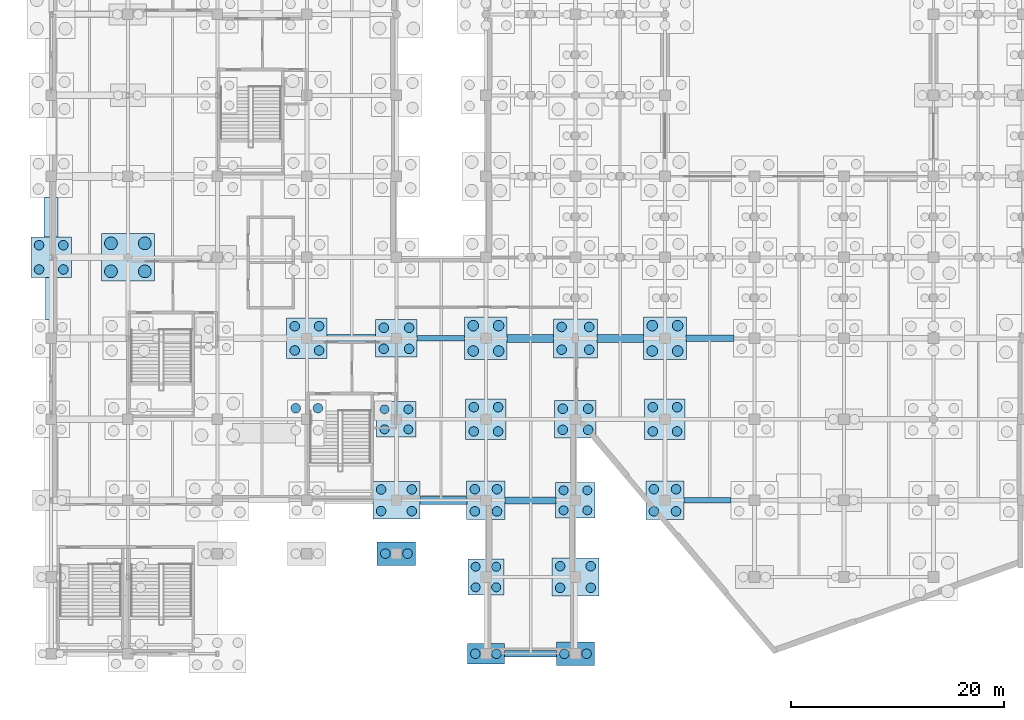
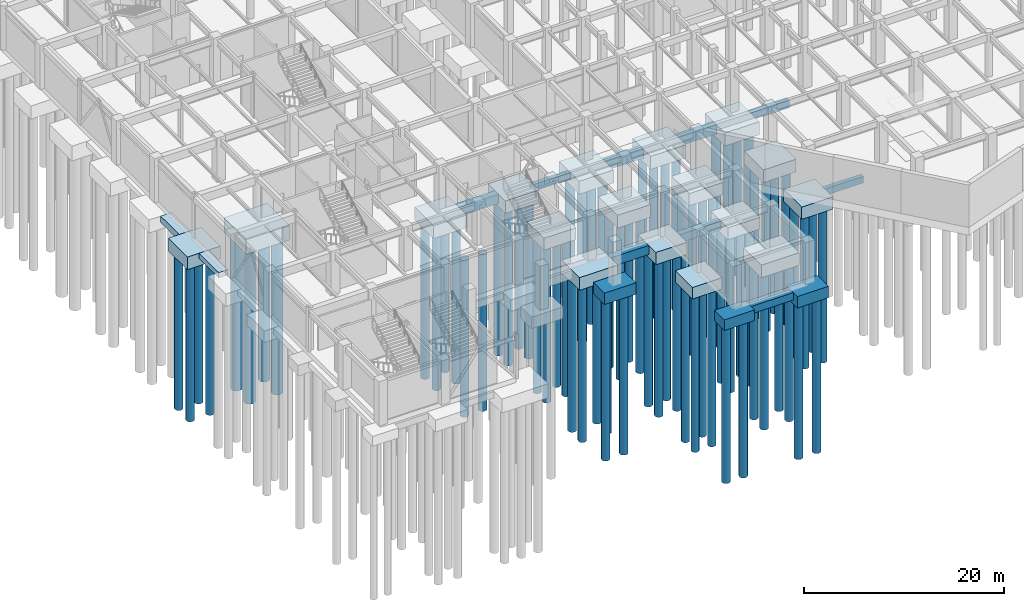
# One storey, part 2 of 52: 76 piles, 31 footings.
"""IFC4 building model written with IfcOpenShell, lengths in metres."""

from ifc_helpers import new_model, si_unit, direction, frame, origin, origin_2d, place, context, subcontext, project, spatial, rectangle, circle, extrude, material, material_profile, profile_set, type_object, element, save


model = new_model("IFC4")

# Units and contexts
model_context = context("Model", 3, precision=1e-05, world=origin(), true_north=direction((0.0, 1.0)))
body_context = subcontext(model_context, "Body", "Model", "MODEL_VIEW")
ifc_project = project(units=[si_unit("LENGTHUNIT", "METRE"), si_unit("AREAUNIT", "SQUARE_METRE"), si_unit("VOLUMEUNIT", "CUBIC_METRE"), si_unit("PLANEANGLEUNIT", "RADIAN"), si_unit("MASSUNIT", "GRAM", prefix="KILO")], contexts=[model_context])

# Site, building, storey
site_placement = place(None, origin())
site = spatial("IfcSite", under=ifc_project, at=site_placement, CompositionType="ELEMENT")
building_placement = place(site_placement, origin())
building = spatial("IfcBuilding", under=site, at=building_placement, Name="Xicomal Pleat Aquarium", CompositionType="ELEMENT")
storey_placement = place(building_placement, frame((0.0, 0.0, -5.39990234375)))
storey = spatial("IfcBuildingStorey", under=building, at=storey_placement, Name="B1", CompositionType="ELEMENT", Elevation=-5.39990234375)

# Footings
ifc_material_1 = material(Name="Concrete C40/50", Category="concrete")
ifc_material_profile_1 = material_profile(ifc_material_1, rectangle(XDim=0.5, YDim=0.800048828125, at=origin_2d()), Name="FB-01 500x800")
ifc_profile_set_1 = profile_set([ifc_material_profile_1], Name="Concrete C40/50")
footing_type_1 = type_object("IfcFootingType", Name="FTG-FB-500x800", PredefinedType="FOOTING_BEAM", material=ifc_profile_set_1)
footing_1_placement = place(storey_placement, frame((37.340087890625, 30.39990234375, -1.35009765625), z_axis=(1.0, 0.0, 0.0), x_axis=(0.0, 1.0, 0.0)))
element("IfcFooting", 1, at=footing_1_placement, inside=storey, type_object=footing_type_1, Name="Foundation tie beam 05-06/E", PredefinedType="FOOTING_BEAM", context=body_context, shape_type="SweptSolid", body=[
    extrude(rectangle(XDim=0.5, YDim=0.800048828125, at=origin_2d()), origin(), (0.0, 0.0, 1.0), 4.469970703125),
])
footing_2_placement = place(storey_placement, frame((62.389892578125, 15.199951171875, -1.35009765625), z_axis=(1.0, 0.0, 0.0), x_axis=(0.0, 1.0, 0.0)))
element("IfcFooting", 2, at=footing_2_placement, inside=storey, type_object=footing_type_1, Name="Foundation tie beam 08-09/C", PredefinedType="FOOTING_BEAM", context=body_context, shape_type="SweptSolid", body=[
    extrude(rectangle(XDim=0.5, YDim=0.800048828125, at=origin_2d()), origin(), (0.0, 0.0, 1.0), 4.420166015625),
])
ifc_material_2 = material(Name="Concrete C40/50", Category="concrete")
ifc_material_profile_2 = material_profile(ifc_material_2, rectangle(XDim=0.60009765625, YDim=0.89990234375, at=origin_2d()), Name="FB-02 600x900")
ifc_profile_set_2 = profile_set([ifc_material_profile_2], Name="Concrete C40/50")
footing_type_2 = type_object("IfcFootingType", Name="FTG-FB-600x900", PredefinedType="FOOTING_BEAM", material=ifc_profile_set_2)
footing_3_placement = place(storey_placement, frame((45.5400390625, 0.800048828125, -1.050048828125), z_axis=(1.0, 0.0, 0.0), x_axis=(0.0, 1.0, 0.0)))
element("IfcFooting", 3, at=footing_3_placement, inside=storey, type_object=footing_type_2, Name="Foundation tie beam 06-07/A", PredefinedType="FOOTING_BEAM", context=body_context, shape_type="SweptSolid", body=[
    extrude(rectangle(XDim=0.60009765625, YDim=0.89990234375, at=origin_2d()), origin(), (0.0, 0.0, 1.0), 4.869873046875),
])
footing_4_placement = place(storey_placement, frame((62.590087890625, 30.39990234375, -1.400146484375), z_axis=(1.0, 0.0, 0.0), x_axis=(0.0, 1.0, 0.0)))
element("IfcFooting", 4, at=footing_4_placement, inside=storey, type_object=footing_type_2, Name="Foundation tie beam 08-09/E", PredefinedType="FOOTING_BEAM", context=body_context, shape_type="SweptSolid", body=[
    extrude(rectangle(XDim=0.60009765625, YDim=0.89990234375, at=origin_2d()), origin(), (0.0, 0.0, 1.0), 4.469970703125),
])
ifc_material_3 = material(Name="Concrete C40/50", Category="concrete")
ifc_material_profile_3 = material_profile(ifc_material_3, rectangle(XDim=0.64990234375, YDim=1.0, at=origin_2d()), Name="FB-03 650x1000")
ifc_profile_set_3 = profile_set([ifc_material_profile_3], Name="Concrete C40/50")
footing_type_3 = type_object("IfcFootingType", Name="FTG-FB-650x1000", PredefinedType="FOOTING_BEAM", material=ifc_profile_set_3)
footing_5_placement = place(storey_placement, frame((45.590087890625, 15.199951171875, -1.10009765625), z_axis=(1.0, 0.0, 0.0), x_axis=(0.0, 1.0, 0.0)))
element("IfcFooting", 5, at=footing_5_placement, inside=storey, type_object=footing_type_3, Name="Foundation tie beam 06-07/C", PredefinedType="FOOTING_BEAM", context=body_context, shape_type="SweptSolid", body=[
    extrude(rectangle(XDim=0.64990234375, YDim=1.0, at=origin_2d()), origin(), (0.0, 0.0, 1.0), 4.77001953125),
])
ifc_material_4 = material(Name="Concrete C40/50", Category="concrete")
ifc_material_profile_4 = material_profile(ifc_material_4, rectangle(XDim=0.75, YDim=1.10009765625, at=origin_2d()), Name="FB-04 750x1100")
ifc_profile_set_4 = profile_set([ifc_material_profile_4], Name="Concrete C40/50")
footing_type_4 = type_object("IfcFootingType", Name="FTG-FB-750x1100", PredefinedType="FOOTING_BEAM", material=ifc_profile_set_4)
footing_6_placement = place(storey_placement, frame((28.889892578125, 30.39990234375, -1.150146484375), z_axis=(1.0, 0.0, 0.0), x_axis=(0.0, 1.0, 0.0)))
element("IfcFooting", 6, at=footing_6_placement, inside=storey, type_object=footing_type_4, Name="Foundation tie beam 04-05/E", PredefinedType="FOOTING_BEAM", context=body_context, shape_type="SweptSolid", body=[
    extrude(rectangle(XDim=0.75, YDim=1.10009765625, at=origin_2d()), origin(), (0.0, 0.0, 1.0), 4.570068359375),
])
footing_7_placement = place(storey_placement, frame((37.590087890625, 15.199951171875, -1.150146484375), z_axis=(1.0, 0.0, 0.0), x_axis=(0.0, 1.0, 0.0)))
element("IfcFooting", 7, at=footing_7_placement, inside=storey, type_object=footing_type_4, Name="Foundation tie beam 05-06/C", PredefinedType="FOOTING_BEAM", context=body_context, shape_type="SweptSolid", body=[
    extrude(rectangle(XDim=0.75, YDim=1.10009765625, at=origin_2d()), origin(), (0.0, 0.0, 1.0), 4.419921875),
])
footing_8_placement = place(storey_placement, frame((45.7900390625, 30.39990234375, -1.5), z_axis=(1.0, 0.0, 0.0), x_axis=(0.0, 1.0, 0.0)))
element("IfcFooting", 8, at=footing_8_placement, inside=storey, type_object=footing_type_4, Name="Foundation tie beam 06-07/E", PredefinedType="FOOTING_BEAM", context=body_context, shape_type="SweptSolid", body=[
    extrude(rectangle(XDim=0.75, YDim=1.10009765625, at=origin_2d()), origin(), (0.0, 0.0, 1.0), 4.369873046875),
])
footing_9_placement = place(storey_placement, frame((54.239990234375, 30.39990234375, -1.5), z_axis=(1.0, 0.0, 0.0), x_axis=(0.0, 1.0, 0.0)))
element("IfcFooting", 9, at=footing_9_placement, inside=storey, type_object=footing_type_4, Name="Foundation tie beam 07-08/E", PredefinedType="FOOTING_BEAM", context=body_context, shape_type="SweptSolid", body=[
    extrude(rectangle(XDim=0.75, YDim=1.10009765625, at=origin_2d()), origin(), (0.0, 0.0, 1.0), 4.3701171875),
])
ifc_material_5 = material(Name="Concrete C40/50", Category="concrete")
footing_type_5 = type_object("IfcFootingType", Name="FTG-PC-3400x3400x1400", PredefinedType="PILE_CAP", material=ifc_material_5)
footing_10_placement = place(storey_placement, frame((43.800048828125, 8.0, -2.0), z_axis=(0.0, 0.0, 1.0), x_axis=(1.0, 0.0, 0.0)))
element("IfcFooting", 10, at=footing_10_placement, inside=storey, type_object=footing_type_5, Name="Pile cap 06-B", PredefinedType="PILE_CAP", context=body_context, shape_type="SweptSolid", body=[
    extrude(rectangle(XDim=3.39990234375, YDim=3.39990234375, at=origin_2d()), origin(), (0.0, 0.0, 1.0), 1.39990234375),
])
ifc_material_6 = material(Name="Concrete C40/50", Category="concrete")
footing_type_6 = type_object("IfcFootingType", Name="FTG-PC-3500x1950x1300", PredefinedType="PILE_CAP", material=ifc_material_6)
footing_11_placement = place(storey_placement, frame((43.800048828125, 0.800048828125, -1.89990234375), z_axis=(0.0, 0.0, 1.0), x_axis=(1.0, 0.0, 0.0)))
element("IfcFooting", 11, at=footing_11_placement, inside=storey, type_object=footing_type_6, Name="Pile cap 06-A", PredefinedType="PILE_CAP", context=body_context, shape_type="SweptSolid", body=[
    extrude(rectangle(XDim=3.5, YDim=1.949951171875, at=origin_2d()), origin(), (0.0, 0.0, 1.0), 1.300048828125),
])
ifc_material_7 = material(Name="Concrete C40/50", Category="concrete")
footing_type_7 = type_object("IfcFootingType", Name="FTG-PC-3600x2200x1400", PredefinedType="PILE_CAP", material=ifc_material_7)
for number, where, z_axis, x_axis, name in (
    (12, (52.199951171875, 0.800048828125, -2.0), (0.0, 0.0, 1.0), (1.0, 0.0, 0.0), "Pile cap 07-A"),
    (13, (35.39990234375, 10.199951171875, -1.400146484375), (0.0, 0.0, 1.0), (1.0, 0.0, 0.0), "Pile cap SP-05"),
):
    element("IfcFooting", number, at=place(storey_placement, frame(where, z_axis=z_axis, x_axis=x_axis)), inside=storey, type_object=footing_type_7, Name=name, PredefinedType="PILE_CAP", context=body_context, shape_type="SweptSolid", body=[
        extrude(rectangle(XDim=3.60009765625, YDim=2.199951171875, at=origin_2d()), origin(), (0.0, 0.0, 1.0), 1.39990234375),
    ])
ifc_material_8 = material(Name="Concrete C40/50", Category="concrete")
footing_type_8 = type_object("IfcFootingType", Name="FTG-PC-3600x3600x1500", PredefinedType="PILE_CAP", material=ifc_material_8)
for number, where, z_axis, x_axis, name in (
    (14, (43.800048828125, 15.199951171875, -2.10009765625), (0.0, 0.0, 1.0), (1.0, 0.0, 0.0), "Pile cap 06-C"),
    (15, (60.60009765625, 15.199951171875, -2.4501953125), (0.0, 0.0, 1.0), (1.0, 0.0, 0.0), "Pile cap 08-C"),
):
    element("IfcFooting", number, at=place(storey_placement, frame(where, z_axis=z_axis, x_axis=x_axis)), inside=storey, type_object=footing_type_8, Name=name, PredefinedType="PILE_CAP", context=body_context, shape_type="SweptSolid", body=[
        extrude(rectangle(XDim=3.60009765625, YDim=3.60009765625, at=origin_2d()), origin(), (0.0, 0.0, 1.0), 1.5),
    ])
ifc_material_9 = material(Name="Concrete C40/50", Category="concrete")
footing_type_9 = type_object("IfcFootingType", Name="FTG-PC-3700x3350x1450", PredefinedType="PILE_CAP", material=ifc_material_9)
for number, where, z_axis, x_axis, name in (
    (16, (35.39990234375, 22.800048828125, -2.05029296875), (0.0, 0.0, 1.0), (1.0, 0.0, 0.0), "Pile cap 05-D"),
    (17, (52.199951171875, 15.199951171875, -2.05029296875), (0.0, 0.0, 1.0), (1.0, 0.0, 0.0), "Pile cap 07-C"),
):
    element("IfcFooting", number, at=place(storey_placement, frame(where, z_axis=z_axis, x_axis=x_axis)), inside=storey, type_object=footing_type_9, Name=name, PredefinedType="PILE_CAP", context=body_context, shape_type="SweptSolid", body=[
        extrude(rectangle(XDim=3.699951171875, YDim=3.35009765625, at=origin_2d()), origin(), (0.0, 0.0, 1.0), 1.449951171875),
    ])
ifc_material_10 = material(Name="Concrete C40/50", Category="concrete")
footing_type_10 = type_object("IfcFootingType", Name="FTG-PC-3800x3800x1550", PredefinedType="PILE_CAP", material=ifc_material_10)
for number, where, z_axis, x_axis, name in (
    (18, (3.0, 38.0, -2.14990234375), (0.0, 0.0, 1.0), (1.0, 0.0, 0.0), "Pile cap 01-F"),
    (19, (27.0, 30.39990234375, -2.14990234375), (0.0, 0.0, 1.0), (1.0, 0.0, 0.0), "Pile cap 04-E"),
    (20, (43.800048828125, 22.800048828125, -2.14990234375), (0.0, 0.0, 1.0), (1.0, 0.0, 0.0), "Pile cap 06-D"),
    (21, (60.60009765625, 22.800048828125, -2.5), (0.0, 0.0, 1.0), (1.0, 0.0, 0.0), "Pile cap 08-D"),
):
    element("IfcFooting", number, at=place(storey_placement, frame(where, z_axis=z_axis, x_axis=x_axis)), inside=storey, type_object=footing_type_10, Name=name, PredefinedType="PILE_CAP", context=body_context, shape_type="SweptSolid", body=[
        extrude(rectangle(XDim=3.800048828125, YDim=3.800048828125, at=origin_2d()), origin(), (0.0, 0.0, 1.0), 1.550048828125),
    ])
ifc_material_11 = material(Name="Concrete C40/50", Category="concrete")
footing_type_11 = type_object("IfcFootingType", Name="FTG-PC-3900x3500x1500", PredefinedType="PILE_CAP", material=ifc_material_11)
for number, where, z_axis, x_axis, name in (
    (22, (35.39990234375, 30.39990234375, -2.10009765625), (0.0, 0.0, 1.0), (1.0, 0.0, 0.0), "Pile cap 05-E"),
    (23, (52.199951171875, 22.800048828125, -2.4501953125), (0.0, 0.0, 1.0), (1.0, 0.0, 0.0), "Pile cap 07-D"),
):
    element("IfcFooting", number, at=place(storey_placement, frame(where, z_axis=z_axis, x_axis=x_axis)), inside=storey, type_object=footing_type_11, Name=name, PredefinedType="PILE_CAP", context=body_context, shape_type="SweptSolid", body=[
        extrude(rectangle(XDim=3.89990234375, YDim=3.5, at=origin_2d()), origin(), (0.0, 0.0, 1.0), 1.5),
    ])
ifc_material_12 = material(Name="Concrete C40/50", Category="concrete")
footing_type_12 = type_object("IfcFootingType", Name="FTG-PC-4000x4000x1600", PredefinedType="PILE_CAP", material=ifc_material_12)
for number, where, z_axis, x_axis, name in (
    (24, (43.800048828125, 30.39990234375, -2.550048828125), (0.0, 0.0, 1.0), (1.0, 0.0, 0.0), "Pile cap 06-E"),
    (25, (60.60009765625, 30.39990234375, -2.550048828125), (0.0, 0.0, 1.0), (1.0, 0.0, 0.0), "Pile cap 08-E"),
):
    element("IfcFooting", number, at=place(storey_placement, frame(where, z_axis=z_axis, x_axis=x_axis)), inside=storey, type_object=footing_type_12, Name=name, PredefinedType="PILE_CAP", context=body_context, shape_type="SweptSolid", body=[
        extrude(rectangle(XDim=4.0, YDim=4.0, at=origin_2d()), origin(), (0.0, 0.0, 1.0), 1.60009765625),
    ])
ifc_material_13 = material(Name="Concrete C40/50", Category="concrete")
footing_type_13 = type_object("IfcFootingType", Name="FTG-PC-4100x3650x1600", PredefinedType="PILE_CAP", material=ifc_material_13)
footing_12_placement = place(storey_placement, frame((52.199951171875, 30.39990234375, -2.550048828125), z_axis=(0.0, 0.0, 1.0), x_axis=(1.0, 0.0, 0.0)))
element("IfcFooting", 26, at=footing_12_placement, inside=storey, type_object=footing_type_13, Name="Pile cap 07-E", PredefinedType="PILE_CAP", context=body_context, shape_type="SweptSolid", body=[
    extrude(rectangle(XDim=4.10009765625, YDim=3.64990234375, at=origin_2d()), origin(), (0.0, 0.0, 1.0), 1.60009765625),
])
ifc_material_14 = material(Name="Concrete C40/50", Category="concrete")
footing_type_14 = type_object("IfcFootingType", Name="FTG-PC-4400x3550x1550", PredefinedType="PILE_CAP", material=ifc_material_14)
for number, where, z_axis, x_axis, name in (
    (27, (35.39990234375, 15.199951171875, -2.14990234375), (0.0, 0.0, 1.0), (1.0, 0.0, 0.0), "Pile cap 05-C"),
    (28, (52.199951171875, 8.0, -2.14990234375), (0.0, 0.0, 1.0), (1.0, 0.0, 0.0), "Pile cap 07-B"),
):
    element("IfcFooting", number, at=place(storey_placement, frame(where, z_axis=z_axis, x_axis=x_axis)), inside=storey, type_object=footing_type_14, Name=name, PredefinedType="PILE_CAP", context=body_context, shape_type="SweptSolid", body=[
        extrude(rectangle(XDim=4.39990234375, YDim=3.550048828125, at=origin_2d()), origin(), (0.0, 0.0, 1.0), 1.550048828125),
    ])
ifc_material_15 = material(Name="Concrete C40/50", Category="concrete")
footing_type_15 = type_object("IfcFootingType", Name="FTG-PC-5000x4450x1800", PredefinedType="PILE_CAP", material=ifc_material_15)
footing_13_placement = place(storey_placement, frame((10.199951171875, 38.0, -2.39990234375), z_axis=(0.0, 0.0, 1.0), x_axis=(1.0, 0.0, 0.0)))
element("IfcFooting", 29, at=footing_13_placement, inside=storey, type_object=footing_type_15, Name="Pile cap 02-F", PredefinedType="PILE_CAP", context=body_context, shape_type="SweptSolid", body=[
    extrude(rectangle(XDim=5.0, YDim=4.449951171875, at=origin_2d()), origin(), (0.0, 0.0, 1.0), 1.800048828125),
])
ifc_material_16 = material(Name="Concrete C40/50", Category="concrete")
ifc_material_profile_5 = material_profile(ifc_material_16, rectangle(XDim=1.10009765625, YDim=0.64990234375, at=origin_2d()), Name="SF-02 1100x650")
ifc_profile_set_5 = profile_set([ifc_material_profile_5], Name="Concrete C40/50")
footing_type_16 = type_object("IfcFootingType", Name="FTG-SF-1100x650", PredefinedType="STRIP_FOOTING", material=ifc_profile_set_5)
footing_14_placement = place(storey_placement, frame((3.0, 32.18994140625, -0.925048828125), z_axis=(0.0, 1.0, 0.0), x_axis=(-1.0, 0.0, 0.0)))
element("IfcFooting", 30, at=footing_14_placement, inside=storey, type_object=footing_type_16, Name="Perimeter retaining wall strip footing 01/E-F", PredefinedType="STRIP_FOOTING", context=body_context, shape_type="SweptSolid", body=[
    extrude(rectangle(XDim=1.10009765625, YDim=0.64990234375, at=origin_2d()), origin(), (0.0, 0.0, 1.0), 3.920166015625),
])
ifc_material_17 = material(Name="Concrete C40/50", Category="concrete")
ifc_material_profile_6 = material_profile(ifc_material_17, rectangle(XDim=1.300048828125, YDim=0.75, at=origin_2d()), Name="SF-03 1300x750")
ifc_profile_set_6 = profile_set([ifc_material_profile_6], Name="Concrete C40/50")
footing_type_17 = type_object("IfcFootingType", Name="FTG-SF-1300x750", PredefinedType="STRIP_FOOTING", material=ifc_profile_set_6)
footing_15_placement = place(storey_placement, frame((3.0, 39.889892578125, -0.97509765625), z_axis=(0.0, 1.0, 0.0), x_axis=(-1.0, 0.0, 0.0)))
element("IfcFooting", 31, at=footing_15_placement, inside=storey, type_object=footing_type_17, Name="Perimeter retaining wall strip footing 01/F-G", PredefinedType="STRIP_FOOTING", context=body_context, shape_type="SweptSolid", body=[
    extrude(rectangle(XDim=1.300048828125, YDim=0.75, at=origin_2d()), origin(), (0.0, 0.0, 1.0), 3.72021484375),
])

# Piles
ifc_material_18 = material(Name="Concrete C40/50", Category="concrete")
ifc_material_profile_7 = material_profile(ifc_material_18, circle(Radius=0.5, at=origin_2d()), Name="BORED PILE D1000")
ifc_profile_set_7 = profile_set([ifc_material_profile_7], Name="Concrete C40/50")
pile_type_1 = type_object("IfcPileType", Name="PIL-B-1000", PredefinedType="BORED", material=ifc_profile_set_7)
for number, where, z_axis, x_axis, name in (
    (32, (42.610107421875, 29.2099609375, -2.4501953125), (0.0, 0.0, -1.0), (1.0, 0.0, 0.0), "Bored pile 06-E-1"),
    (33, (44.989990234375, 29.2099609375, -2.4501953125), (0.0, 0.0, -1.0), (1.0, 0.0, 0.0), "Bored pile 06-E-2"),
    (34, (42.610107421875, 31.590087890625, -2.4501953125), (0.0, 0.0, -1.0), (1.0, 0.0, 0.0), "Bored pile 06-E-3"),
    (35, (44.989990234375, 31.590087890625, -2.4501953125), (0.0, 0.0, -1.0), (1.0, 0.0, 0.0), "Bored pile 06-E-4"),
    (36, (59.409912109375, 29.2099609375, -2.4501953125), (0.0, 0.0, -1.0), (1.0, 0.0, 0.0), "Bored pile 08-E-1"),
    (37, (61.7900390625, 29.2099609375, -2.4501953125), (0.0, 0.0, -1.0), (1.0, 0.0, 0.0), "Bored pile 08-E-2"),
    (38, (59.409912109375, 31.590087890625, -2.4501953125), (0.0, 0.0, -1.0), (1.0, 0.0, 0.0), "Bored pile 08-E-3"),
    (39, (61.7900390625, 31.590087890625, -2.4501953125), (0.0, 0.0, -1.0), (1.0, 0.0, 0.0), "Bored pile 08-E-4"),
):
    element("IfcPile", number, at=place(storey_placement, frame(where, z_axis=z_axis, x_axis=x_axis)), inside=storey, type_object=pile_type_1, Name=name, PredefinedType="BORED", context=body_context, shape_type="SweptSolid", body=[
        extrude(circle(Radius=0.5, at=origin_2d()), origin(), (0.0, 0.0, 1.0), 18.64990234375),
    ])
ifc_material_19 = material(Name="Concrete C40/50", Category="concrete")
ifc_material_profile_8 = material_profile(ifc_material_19, circle(Radius=0.60009765625, at=origin_2d()), Name="BORED PILE D1200")
ifc_profile_set_8 = profile_set([ifc_material_profile_8], Name="Concrete C40/50")
pile_type_2 = type_object("IfcPileType", Name="PIL-B-1200", PredefinedType="BORED", material=ifc_profile_set_8)
for number, where, z_axis, x_axis, name in (
    (40, (8.610107421875, 36.68505859375, -2.300048828125), (0.0, 0.0, -1.0), (1.0, 0.0, 0.0), "Bored pile 02-F-1"),
    (41, (11.7900390625, 36.68505859375, -2.300048828125), (0.0, 0.0, -1.0), (1.0, 0.0, 0.0), "Bored pile 02-F-2"),
    (42, (8.610107421875, 39.31494140625, -2.300048828125), (0.0, 0.0, -1.0), (1.0, 0.0, 0.0), "Bored pile 02-F-3"),
    (43, (11.7900390625, 39.31494140625, -2.300048828125), (0.0, 0.0, -1.0), (1.0, 0.0, 0.0), "Bored pile 02-F-4"),
):
    element("IfcPile", number, at=place(storey_placement, frame(where, z_axis=z_axis, x_axis=x_axis)), inside=storey, type_object=pile_type_2, Name=name, PredefinedType="BORED", context=body_context, shape_type="SweptSolid", body=[
        extrude(circle(Radius=0.60009765625, at=origin_2d()), origin(), (0.0, 0.0, 1.0), 18.800048828125),
    ])
ifc_material_20 = material(Name="Concrete C40/50", Category="concrete")
ifc_material_profile_9 = material_profile(ifc_material_20, circle(Radius=0.425048828125, at=origin_2d()), Name="BORED PILE D850")
ifc_profile_set_9 = profile_set([ifc_material_profile_9], Name="Concrete C40/50")
pile_type_3 = type_object("IfcPileType", Name="PIL-B-850", PredefinedType="BORED", material=ifc_profile_set_9)
for number, where, z_axis, x_axis, name in (
    (44, (34.284912109375, 21.860107421875, -1.9501953125), (0.0, 0.0, -1.0), (1.0, 0.0, 0.0), "Bored pile 05-D-1"),
    (45, (36.514892578125, 21.860107421875, -1.9501953125), (0.0, 0.0, -1.0), (1.0, 0.0, 0.0), "Bored pile 05-D-2"),
    (46, (34.284912109375, 23.739990234375, -1.9501953125), (0.0, 0.0, -1.0), (1.0, 0.0, 0.0), "Bored pile 05-D-3"),
    (47, (36.514892578125, 23.739990234375, -1.9501953125), (0.0, 0.0, -1.0), (1.0, 0.0, 0.0), "Bored pile 05-D-4"),
):
    element("IfcPile", number, at=place(storey_placement, frame(where, z_axis=z_axis, x_axis=x_axis)), inside=storey, type_object=pile_type_3, Name=name, PredefinedType="BORED", context=body_context, shape_type="SweptSolid", body=[
        extrude(circle(Radius=0.425048828125, at=origin_2d()), origin(), (0.0, 0.0, 1.0), 19.14990234375),
    ])
for number, where, z_axis, x_axis, name in (
    (48, (42.8349609375, 7.034912109375, -1.900146484375), (0.0, 0.0, -1.0), (1.0, 0.0, 0.0), "Bored pile 06-B-1"),
    (49, (44.764892578125, 7.034912109375, -1.900146484375), (0.0, 0.0, -1.0), (1.0, 0.0, 0.0), "Bored pile 06-B-2"),
    (50, (42.8349609375, 8.965087890625, -1.900146484375), (0.0, 0.0, -1.0), (1.0, 0.0, 0.0), "Bored pile 06-B-3"),
    (51, (44.764892578125, 8.965087890625, -1.900146484375), (0.0, 0.0, -1.0), (1.0, 0.0, 0.0), "Bored pile 06-B-4"),
):
    element("IfcPile", number, at=place(storey_placement, frame(where, z_axis=z_axis, x_axis=x_axis)), inside=storey, type_object=pile_type_3, Name=name, PredefinedType="BORED", context=body_context, shape_type="SweptSolid", body=[
        extrude(circle(Radius=0.425048828125, at=origin_2d()), origin(), (0.0, 0.0, 1.0), 19.199951171875),
    ])
for number, where, z_axis, x_axis, name in (
    (52, (51.0849609375, 14.260009765625, -1.9501953125), (0.0, 0.0, -1.0), (1.0, 0.0, 0.0), "Bored pile 07-C-1"),
    (53, (53.31494140625, 14.260009765625, -1.9501953125), (0.0, 0.0, -1.0), (1.0, 0.0, 0.0), "Bored pile 07-C-2"),
    (54, (51.0849609375, 16.139892578125, -1.9501953125), (0.0, 0.0, -1.0), (1.0, 0.0, 0.0), "Bored pile 07-C-3"),
    (55, (53.31494140625, 16.139892578125, -1.9501953125), (0.0, 0.0, -1.0), (1.0, 0.0, 0.0), "Bored pile 07-C-4"),
):
    element("IfcPile", number, at=place(storey_placement, frame(where, z_axis=z_axis, x_axis=x_axis)), inside=storey, type_object=pile_type_3, Name=name, PredefinedType="BORED", context=body_context, shape_type="SweptSolid", body=[
        extrude(circle(Radius=0.425048828125, at=origin_2d()), origin(), (0.0, 0.0, 1.0), 19.14990234375),
    ])
ifc_material_21 = material(Name="Concrete C40/50", Category="concrete")
ifc_material_profile_10 = material_profile(ifc_material_21, circle(Radius=0.449951171875, at=origin_2d()), Name="BORED PILE D900")
ifc_profile_set_10 = profile_set([ifc_material_profile_10], Name="Concrete C40/50")
pile_type_4 = type_object("IfcPileType", Name="PIL-B-900", PredefinedType="BORED", material=ifc_profile_set_10)
for number, where, z_axis, x_axis, name in (
    (56, (1.860107421875, 36.860107421875, -2.050048828125), (0.0, 0.0, -1.0), (1.0, 0.0, 0.0), "Bored pile 01-F-1"),
    (57, (4.139892578125, 36.860107421875, -2.050048828125), (0.0, 0.0, -1.0), (1.0, 0.0, 0.0), "Bored pile 01-F-2"),
    (58, (1.860107421875, 39.139892578125, -2.050048828125), (0.0, 0.0, -1.0), (1.0, 0.0, 0.0), "Bored pile 01-F-3"),
    (59, (4.139892578125, 39.139892578125, -2.050048828125), (0.0, 0.0, -1.0), (1.0, 0.0, 0.0), "Bored pile 01-F-4"),
):
    element("IfcPile", number, at=place(storey_placement, frame(where, z_axis=z_axis, x_axis=x_axis)), inside=storey, type_object=pile_type_4, Name=name, PredefinedType="BORED", context=body_context, shape_type="SweptSolid", body=[
        extrude(circle(Radius=0.449951171875, at=origin_2d()), origin(), (0.0, 0.0, 1.0), 19.050048828125),
    ])
for number, where, z_axis, x_axis, name in (
    (60, (25.9599609375, 23.840087890625, -2.0), (0.0, 0.0, -1.0), (1.0, 0.0, 0.0), "Bored pile 04-D-3"),
    (61, (28.0400390625, 23.840087890625, -2.0), (0.0, 0.0, -1.0), (1.0, 0.0, 0.0), "Bored pile 04-D-4"),
):
    element("IfcPile", number, at=place(storey_placement, frame(where, z_axis=z_axis, x_axis=x_axis)), inside=storey, type_object=pile_type_4, Name=name, PredefinedType="BORED", context=body_context, shape_type="SweptSolid", body=[
        extrude(circle(Radius=0.449951171875, at=origin_2d()), origin(), (0.0, 0.0, 1.0), 19.10009765625),
    ])
for number, where, z_axis, x_axis, name in (
    (62, (25.860107421875, 29.260009765625, -2.050048828125), (0.0, 0.0, -1.0), (1.0, 0.0, 0.0), "Bored pile 04-E-1"),
    (63, (28.139892578125, 29.260009765625, -2.050048828125), (0.0, 0.0, -1.0), (1.0, 0.0, 0.0), "Bored pile 04-E-2"),
    (64, (25.860107421875, 31.5400390625, -2.050048828125), (0.0, 0.0, -1.0), (1.0, 0.0, 0.0), "Bored pile 04-E-3"),
    (65, (28.139892578125, 31.5400390625, -2.050048828125), (0.0, 0.0, -1.0), (1.0, 0.0, 0.0), "Bored pile 04-E-4"),
    (66, (33.9599609375, 14.18505859375, -2.050048828125), (0.0, 0.0, -1.0), (1.0, 0.0, 0.0), "Bored pile 05-C-1"),
    (67, (36.840087890625, 14.18505859375, -2.050048828125), (0.0, 0.0, -1.0), (1.0, 0.0, 0.0), "Bored pile 05-C-2"),
    (68, (33.9599609375, 16.215087890625, -2.050048828125), (0.0, 0.0, -1.0), (1.0, 0.0, 0.0), "Bored pile 05-C-3"),
    (69, (36.840087890625, 16.215087890625, -2.050048828125), (0.0, 0.0, -1.0), (1.0, 0.0, 0.0), "Bored pile 05-C-4"),
):
    element("IfcPile", number, at=place(storey_placement, frame(where, z_axis=z_axis, x_axis=x_axis)), inside=storey, type_object=pile_type_4, Name=name, PredefinedType="BORED", context=body_context, shape_type="SweptSolid", body=[
        extrude(circle(Radius=0.449951171875, at=origin_2d()), origin(), (0.0, 0.0, 1.0), 19.050048828125),
    ])
for number, where, z_axis, x_axis, name in (
    (70, (34.2099609375, 29.409912109375, -2.0), (0.0, 0.0, -1.0), (1.0, 0.0, 0.0), "Bored pile 05-E-1"),
    (71, (36.590087890625, 29.409912109375, -2.0), (0.0, 0.0, -1.0), (1.0, 0.0, 0.0), "Bored pile 05-E-2"),
    (72, (34.2099609375, 31.389892578125, -2.0), (0.0, 0.0, -1.0), (1.0, 0.0, 0.0), "Bored pile 05-E-3"),
    (73, (36.590087890625, 31.389892578125, -2.0), (0.0, 0.0, -1.0), (1.0, 0.0, 0.0), "Bored pile 05-E-4"),
):
    element("IfcPile", number, at=place(storey_placement, frame(where, z_axis=z_axis, x_axis=x_axis)), inside=storey, type_object=pile_type_4, Name=name, PredefinedType="BORED", context=body_context, shape_type="SweptSolid", body=[
        extrude(circle(Radius=0.449951171875, at=origin_2d()), origin(), (0.0, 0.0, 1.0), 19.10009765625),
    ])
for number, where, z_axis, x_axis, name in (
    (74, (42.81005859375, 0.800048828125, -1.800048828125), (0.0, 0.0, -1.0), (1.0, 0.0, 0.0), "Bored pile 06-A-1"),
    (75, (44.7900390625, 0.800048828125, -1.800048828125), (0.0, 0.0, -1.0), (1.0, 0.0, 0.0), "Bored pile 06-A-2"),
):
    element("IfcPile", number, at=place(storey_placement, frame(where, z_axis=z_axis, x_axis=x_axis)), inside=storey, type_object=pile_type_4, Name=name, PredefinedType="BORED", context=body_context, shape_type="SweptSolid", body=[
        extrude(circle(Radius=0.449951171875, at=origin_2d()), origin(), (0.0, 0.0, 1.0), 19.300048828125),
    ])
for number, where, z_axis, x_axis, name in (
    (76, (42.760009765625, 14.159912109375, -2.0), (0.0, 0.0, -1.0), (1.0, 0.0, 0.0), "Bored pile 06-C-1"),
    (77, (44.840087890625, 14.159912109375, -2.0), (0.0, 0.0, -1.0), (1.0, 0.0, 0.0), "Bored pile 06-C-2"),
    (78, (42.760009765625, 16.239990234375, -2.0), (0.0, 0.0, -1.0), (1.0, 0.0, 0.0), "Bored pile 06-C-3"),
    (79, (44.840087890625, 16.239990234375, -2.0), (0.0, 0.0, -1.0), (1.0, 0.0, 0.0), "Bored pile 06-C-4"),
):
    element("IfcPile", number, at=place(storey_placement, frame(where, z_axis=z_axis, x_axis=x_axis)), inside=storey, type_object=pile_type_4, Name=name, PredefinedType="BORED", context=body_context, shape_type="SweptSolid", body=[
        extrude(circle(Radius=0.449951171875, at=origin_2d()), origin(), (0.0, 0.0, 1.0), 19.10009765625),
    ])
for number, where, z_axis, x_axis, name in (
    (80, (42.659912109375, 21.659912109375, -2.050048828125), (0.0, 0.0, -1.0), (1.0, 0.0, 0.0), "Bored pile 06-D-1"),
    (81, (44.93994140625, 21.659912109375, -2.050048828125), (0.0, 0.0, -1.0), (1.0, 0.0, 0.0), "Bored pile 06-D-2"),
    (82, (42.659912109375, 23.93994140625, -2.050048828125), (0.0, 0.0, -1.0), (1.0, 0.0, 0.0), "Bored pile 06-D-3"),
    (83, (44.93994140625, 23.93994140625, -2.050048828125), (0.0, 0.0, -1.0), (1.0, 0.0, 0.0), "Bored pile 06-D-4"),
):
    element("IfcPile", number, at=place(storey_placement, frame(where, z_axis=z_axis, x_axis=x_axis)), inside=storey, type_object=pile_type_4, Name=name, PredefinedType="BORED", context=body_context, shape_type="SweptSolid", body=[
        extrude(circle(Radius=0.449951171875, at=origin_2d()), origin(), (0.0, 0.0, 1.0), 19.050048828125),
    ])
for number, where, z_axis, x_axis, name in (
    (84, (51.159912109375, 0.800048828125, -1.900146484375), (0.0, 0.0, -1.0), (1.0, 0.0, 0.0), "Bored pile 07-A-1"),
    (85, (53.239990234375, 0.800048828125, -1.900146484375), (0.0, 0.0, -1.0), (1.0, 0.0, 0.0), "Bored pile 07-A-2"),
):
    element("IfcPile", number, at=place(storey_placement, frame(where, z_axis=z_axis, x_axis=x_axis)), inside=storey, type_object=pile_type_4, Name=name, PredefinedType="BORED", context=body_context, shape_type="SweptSolid", body=[
        extrude(circle(Radius=0.449951171875, at=origin_2d()), origin(), (0.0, 0.0, 1.0), 19.199951171875),
    ])
for number, where, z_axis, x_axis, name in (
    (86, (50.760009765625, 6.985107421875, -2.050048828125), (0.0, 0.0, -1.0), (1.0, 0.0, 0.0), "Bored pile 07-B-1"),
    (87, (53.639892578125, 6.985107421875, -2.050048828125), (0.0, 0.0, -1.0), (1.0, 0.0, 0.0), "Bored pile 07-B-2"),
    (88, (50.760009765625, 9.014892578125, -2.050048828125), (0.0, 0.0, -1.0), (1.0, 0.0, 0.0), "Bored pile 07-B-3"),
    (89, (53.639892578125, 9.014892578125, -2.050048828125), (0.0, 0.0, -1.0), (1.0, 0.0, 0.0), "Bored pile 07-B-4"),
):
    element("IfcPile", number, at=place(storey_placement, frame(where, z_axis=z_axis, x_axis=x_axis)), inside=storey, type_object=pile_type_4, Name=name, PredefinedType="BORED", context=body_context, shape_type="SweptSolid", body=[
        extrude(circle(Radius=0.449951171875, at=origin_2d()), origin(), (0.0, 0.0, 1.0), 19.050048828125),
    ])
for number, where, z_axis, x_axis, name in (
    (90, (51.010009765625, 21.81005859375, -2.35009765625), (0.0, 0.0, -1.0), (1.0, 0.0, 0.0), "Bored pile 07-D-1"),
    (91, (53.389892578125, 21.81005859375, -2.35009765625), (0.0, 0.0, -1.0), (1.0, 0.0, 0.0), "Bored pile 07-D-2"),
    (92, (51.010009765625, 23.7900390625, -2.35009765625), (0.0, 0.0, -1.0), (1.0, 0.0, 0.0), "Bored pile 07-D-3"),
    (93, (53.389892578125, 23.7900390625, -2.35009765625), (0.0, 0.0, -1.0), (1.0, 0.0, 0.0), "Bored pile 07-D-4"),
):
    element("IfcPile", number, at=place(storey_placement, frame(where, z_axis=z_axis, x_axis=x_axis)), inside=storey, type_object=pile_type_4, Name=name, PredefinedType="BORED", context=body_context, shape_type="SweptSolid", body=[
        extrude(circle(Radius=0.449951171875, at=origin_2d()), origin(), (0.0, 0.0, 1.0), 18.75),
    ])
for number, where, z_axis, x_axis, name in (
    (94, (50.909912109375, 29.3349609375, -2.4501953125), (0.0, 0.0, -1.0), (1.0, 0.0, 0.0), "Bored pile 07-E-1"),
    (95, (53.489990234375, 29.3349609375, -2.4501953125), (0.0, 0.0, -1.0), (1.0, 0.0, 0.0), "Bored pile 07-E-2"),
    (96, (50.909912109375, 31.465087890625, -2.4501953125), (0.0, 0.0, -1.0), (1.0, 0.0, 0.0), "Bored pile 07-E-3"),
    (97, (53.489990234375, 31.465087890625, -2.4501953125), (0.0, 0.0, -1.0), (1.0, 0.0, 0.0), "Bored pile 07-E-4"),
):
    element("IfcPile", number, at=place(storey_placement, frame(where, z_axis=z_axis, x_axis=x_axis)), inside=storey, type_object=pile_type_4, Name=name, PredefinedType="BORED", context=body_context, shape_type="SweptSolid", body=[
        extrude(circle(Radius=0.449951171875, at=origin_2d()), origin(), (0.0, 0.0, 1.0), 18.64990234375),
    ])
for number, where, z_axis, x_axis, name in (
    (98, (59.56005859375, 14.159912109375, -2.35009765625), (0.0, 0.0, -1.0), (1.0, 0.0, 0.0), "Bored pile 08-C-1"),
    (99, (61.639892578125, 14.159912109375, -2.35009765625), (0.0, 0.0, -1.0), (1.0, 0.0, 0.0), "Bored pile 08-C-2"),
    (100, (59.56005859375, 16.239990234375, -2.35009765625), (0.0, 0.0, -1.0), (1.0, 0.0, 0.0), "Bored pile 08-C-3"),
    (101, (61.639892578125, 16.239990234375, -2.35009765625), (0.0, 0.0, -1.0), (1.0, 0.0, 0.0), "Bored pile 08-C-4"),
):
    element("IfcPile", number, at=place(storey_placement, frame(where, z_axis=z_axis, x_axis=x_axis)), inside=storey, type_object=pile_type_4, Name=name, PredefinedType="BORED", context=body_context, shape_type="SweptSolid", body=[
        extrude(circle(Radius=0.449951171875, at=origin_2d()), origin(), (0.0, 0.0, 1.0), 18.75),
    ])
for number, where, z_axis, x_axis, name in (
    (102, (59.4599609375, 21.659912109375, -2.400146484375), (0.0, 0.0, -1.0), (1.0, 0.0, 0.0), "Bored pile 08-D-1"),
    (103, (61.739990234375, 21.659912109375, -2.400146484375), (0.0, 0.0, -1.0), (1.0, 0.0, 0.0), "Bored pile 08-D-2"),
    (104, (59.4599609375, 23.93994140625, -2.400146484375), (0.0, 0.0, -1.0), (1.0, 0.0, 0.0), "Bored pile 08-D-3"),
    (105, (61.739990234375, 23.93994140625, -2.400146484375), (0.0, 0.0, -1.0), (1.0, 0.0, 0.0), "Bored pile 08-D-4"),
):
    element("IfcPile", number, at=place(storey_placement, frame(where, z_axis=z_axis, x_axis=x_axis)), inside=storey, type_object=pile_type_4, Name=name, PredefinedType="BORED", context=body_context, shape_type="SweptSolid", body=[
        extrude(circle(Radius=0.449951171875, at=origin_2d()), origin(), (0.0, 0.0, 1.0), 18.699951171875),
    ])
for number, where, z_axis, x_axis, name in (
    (106, (34.360107421875, 10.199951171875, -1.300048828125), (0.0, 0.0, -1.0), (1.0, 0.0, 0.0), "Bored pile SP-05-1"),
    (107, (36.43994140625, 10.199951171875, -1.300048828125), (0.0, 0.0, -1.0), (1.0, 0.0, 0.0), "Bored pile SP-05-2"),
):
    element("IfcPile", number, at=place(storey_placement, frame(where, z_axis=z_axis, x_axis=x_axis)), inside=storey, type_object=pile_type_4, Name=name, PredefinedType="BORED", context=body_context, shape_type="SweptSolid", body=[
        extrude(circle(Radius=0.449951171875, at=origin_2d()), origin(), (0.0, 0.0, 1.0), 19.800048828125),
    ])

save(model, "model.ifc")
